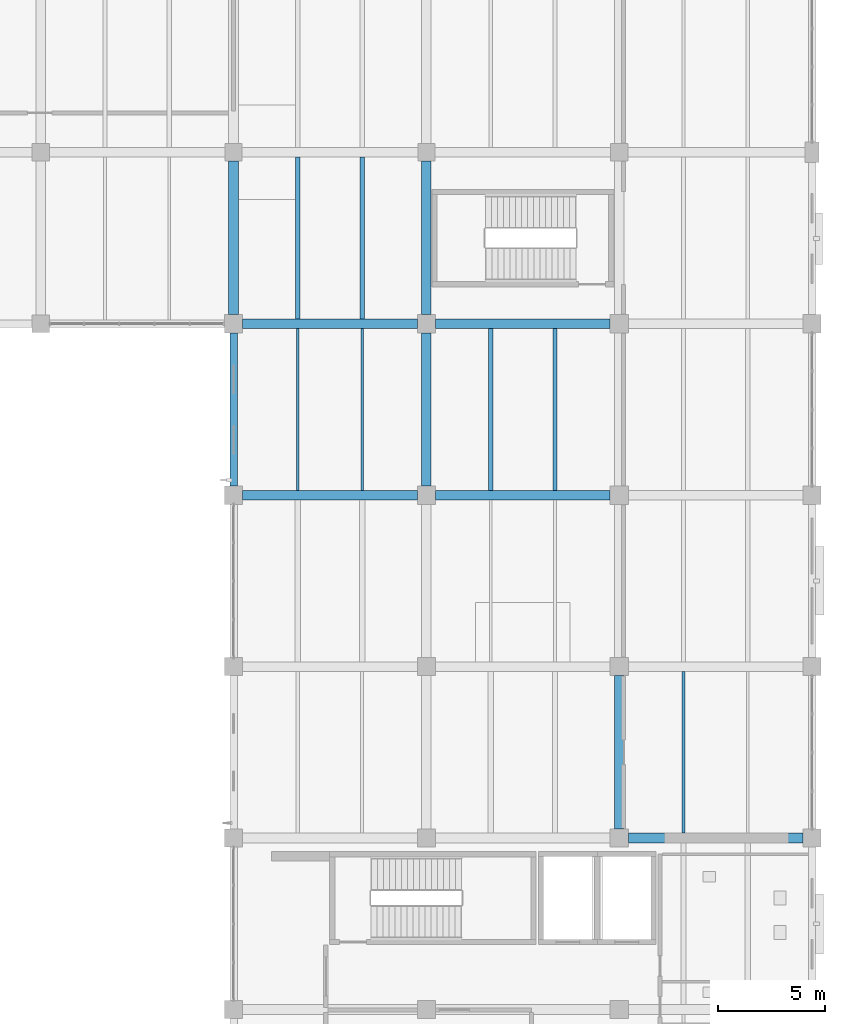
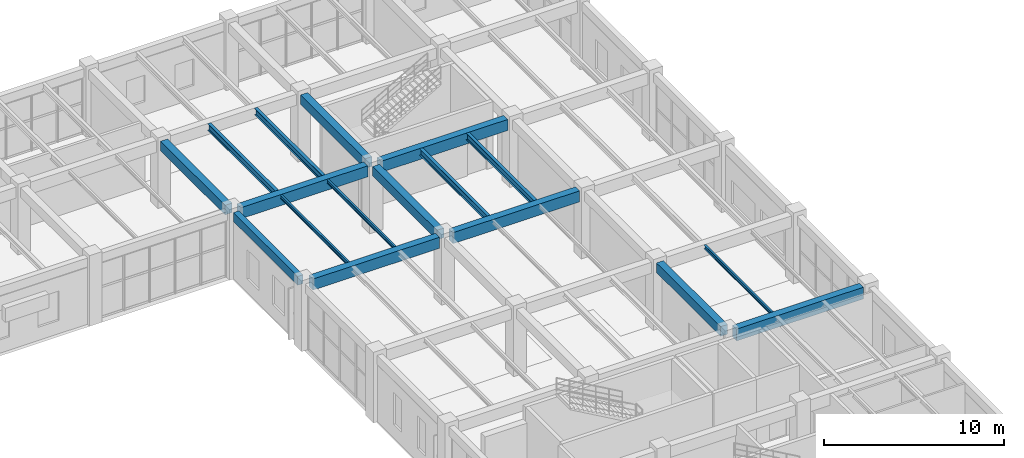
# One storey, part 129 of 178: 17 beams.
"""IFC4 building model written with IfcOpenShell, lengths in metres."""

from ifc_helpers import new_model, si_unit, derived_unit, direction, frame, origin, origin_2d, place, context, subcontext, project, spatial, rectangle, i_section, extrude, material, material_profile, profile_set, type_object, element, save


model = new_model("IFC4")

# Units and contexts
model_context = context("Model", 3, precision=1e-05, world=origin(), true_north=direction((0.0, 1.0)))
body_context = subcontext(model_context, "Body", "Model", "MODEL_VIEW")
ifc_project = project(units=[si_unit("LENGTHUNIT", "METRE"), si_unit("AREAUNIT", "SQUARE_METRE"), si_unit("VOLUMEUNIT", "CUBIC_METRE"), si_unit("PLANEANGLEUNIT", "RADIAN"), si_unit("MASSUNIT", "GRAM", prefix="KILO"), derived_unit("THERMALTRANSMITTANCEUNIT", [(si_unit("MASSUNIT", "GRAM", prefix="KILO"), 1), (si_unit("TIMEUNIT", "SECOND"), -3), (si_unit("THERMODYNAMICTEMPERATUREUNIT", "KELVIN"), -1)])], contexts=[model_context])

# Site, building, storey
site_placement = place(None, origin())
site = spatial("IfcSite", under=ifc_project, at=site_placement, CompositionType="ELEMENT")
building_placement = place(site_placement, origin())
building = spatial("IfcBuilding", under=site, at=building_placement, Name="Zhenchuan Archway Interchange", CompositionType="ELEMENT")
storey_placement = place(building_placement, frame((0.0, 0.0, 5.39990234375)))
storey = spatial("IfcBuildingStorey", under=building, at=storey_placement, Name="L01", CompositionType="ELEMENT", Elevation=5.39990234375)

# Beams
ifc_material_1 = material(Name="Concrete C40", Category="concrete")
ifc_material_profile_1 = material_profile(ifc_material_1, rectangle(XDim=0.449951171875, YDim=0.64990234375, at=origin_2d()), Name="RC 450x650")
ifc_profile_set_1 = profile_set([ifc_material_profile_1], Name="Concrete C40")
beam_type_1 = type_object("IfcBeamType", Name="BM_RC_450x650", PredefinedType="BEAM", material=ifc_profile_set_1)
beam_1_placement = place(storey_placement, frame((144.0, 88.425048828125, 4.18505859375), z_axis=(0.0, 1.0, 0.0), x_axis=(-1.0, 0.0, 0.0)))
element("IfcBeam", 1, at=beam_1_placement, inside=storey, type_object=beam_type_1, Name="Beam 17:M-N (L01)", PredefinedType="BEAM", context=body_context, shape_type="SweptSolid", body=[
    extrude(rectangle(XDim=0.449951171875, YDim=0.64990234375, at=origin_2d()), origin(), (0.0, 0.0, 1.0), 7.175048828125),
])
beam_2_placement = place(storey_placement, frame((153.0, 80.425048828125, 4.18505859375), z_axis=(0.0, 1.0, 0.0), x_axis=(-1.0, 0.0, 0.0)))
element("IfcBeam", 2, at=beam_2_placement, inside=storey, type_object=beam_type_1, Name="Beam 18:L-M (L01)", PredefinedType="BEAM", context=body_context, shape_type="SweptSolid", body=[
    extrude(rectangle(XDim=0.449951171875, YDim=0.64990234375, at=origin_2d()), origin(), (0.0, 0.0, 1.0), 7.14990234375),
])
beam_3_placement = place(storey_placement, frame((153.0, 88.425048828125, 4.18505859375), z_axis=(0.0, 1.0, 0.0), x_axis=(-1.0, 0.0, 0.0)))
element("IfcBeam", 3, at=beam_3_placement, inside=storey, type_object=beam_type_1, Name="Beam 18:M-N (L01)", PredefinedType="BEAM", context=body_context, shape_type="SweptSolid", body=[
    extrude(rectangle(XDim=0.449951171875, YDim=0.64990234375, at=origin_2d()), origin(), (0.0, 0.0, 1.0), 7.175048828125),
])
beam_4_placement = place(storey_placement, frame((162.0, 64.425048828125, 4.18505859375), z_axis=(0.0, 1.0, 0.0), x_axis=(-1.0, 0.0, 0.0)))
element("IfcBeam", 4, at=beam_4_placement, inside=storey, type_object=beam_type_1, Name="Beam 19:J-K (L01)", PredefinedType="BEAM", context=body_context, shape_type="SweptSolid", body=[
    extrude(rectangle(XDim=0.449951171875, YDim=0.64990234375, at=origin_2d()), origin(), (0.0, 0.0, 1.0), 7.14990234375),
])
ifc_material_profile_2 = material_profile(ifc_material_1, rectangle(XDim=0.449951171875, YDim=0.75, at=origin_2d()), Name="RC 450x750")
ifc_profile_set_2 = profile_set([ifc_material_profile_2], Name="Concrete C40")
beam_type_2 = type_object("IfcBeamType", Name="BM_RC_450x750", PredefinedType="BEAM", material=ifc_profile_set_2)
for number, where, z_axis, x_axis, name in (
    (5, (144.425048828125, 80.0, 4.135009765625), (1.0, 0.0, 0.0), (0.0, 1.0, 0.0), "Beam L:17-18 (L01)"),
    (6, (153.425048828125, 80.0, 4.135009765625), (1.0, 0.0, 0.0), (0.0, 1.0, 0.0), "Beam L:18-19 (L01)"),
    (7, (144.425048828125, 88.0, 4.135009765625), (1.0, 0.0, 0.0), (0.0, 1.0, 0.0), "Beam M:17-18 (L01)"),
    (8, (153.425048828125, 88.0, 4.135009765625), (1.0, 0.0, 0.0), (0.0, 1.0, 0.0), "Beam M:18-19 (L01)"),
):
    element("IfcBeam", number, at=place(storey_placement, frame(where, z_axis=z_axis, x_axis=x_axis)), inside=storey, type_object=beam_type_2, Name=name, PredefinedType="BEAM", context=body_context, shape_type="SweptSolid", body=[
        extrude(rectangle(XDim=0.449951171875, YDim=0.75, at=origin_2d()), origin(), (0.0, 0.0, 1.0), 8.14990234375),
    ])
ifc_material_profile_3 = material_profile(ifc_material_1, rectangle(XDim=0.449951171875, YDim=0.800048828125, at=origin_2d()), Name="RC 450x800")
ifc_profile_set_3 = profile_set([ifc_material_profile_3], Name="Concrete C40")
beam_type_3 = type_object("IfcBeamType", Name="BM_RC_450x800", PredefinedType="BEAM", material=ifc_profile_set_3)
beam_5_placement = place(storey_placement, frame((162.425048828125, 64.0, 4.110107421875), z_axis=(1.0, 0.0, 0.0), x_axis=(0.0, 1.0, 0.0)))
element("IfcBeam", 9, at=beam_5_placement, inside=storey, type_object=beam_type_3, Name="Beam J:19-20 (L01)", PredefinedType="BEAM", context=body_context, shape_type="SweptSolid", body=[
    extrude(rectangle(XDim=0.449951171875, YDim=0.800048828125, at=origin_2d()), origin(), (0.0, 0.0, 1.0), 8.14990234375),
])
ifc_material_2 = material(Name="Steel Q355", Category="steel")
ifc_material_profile_4 = material_profile(ifc_material_2, i_section(OverallWidth=0.125, OverallDepth=0.25, WebThickness=0.006103515625, FlangeThickness=0.009033203125, FilletRadius=0.011962890625, at=origin_2d()), Name="HN 250x125")
ifc_profile_set_4 = profile_set([ifc_material_profile_4], Name="Steel Q355")
beam_type_4 = type_object("IfcBeamType", Name="JST_STL_HN250", PredefinedType="JOIST", material=ifc_profile_set_4)
for number, where, z_axis, x_axis, name in (
    (10, (147.0, 80.22509765625, 4.385009765625), (0.0, 1.0, 0.0), (-1.0, 0.0, 0.0), "Secondary joist 17-18/L-M #1 (L01)"),
    (11, (150.0, 80.22509765625, 4.385009765625), (0.0, 1.0, 0.0), (-1.0, 0.0, 0.0), "Secondary joist 17-18/L-M #2 (L01)"),
    (12, (165.0, 64.22509765625, 4.385009765625), (0.0, 1.0, 0.0), (-1.0, 0.0, 0.0), "Secondary joist 19-20/J-K #1 (L01)"),
):
    element("IfcBeam", number, at=place(storey_placement, frame(where, z_axis=z_axis, x_axis=x_axis)), inside=storey, type_object=beam_type_4, Name=name, PredefinedType="JOIST", context=body_context, shape_type="SweptSolid", body=[
        extrude(i_section(OverallWidth=0.125, OverallDepth=0.25, WebThickness=0.006103515625, FlangeThickness=0.009033203125, FilletRadius=0.011962890625, at=origin_2d()), origin(), (0.0, 0.0, 1.0), 7.5498046875),
    ])
ifc_material_profile_5 = material_profile(ifc_material_2, i_section(OverallWidth=0.199951171875, OverallDepth=0.449951171875, WebThickness=0.009033203125, FlangeThickness=0.013916015625, FilletRadius=0.01806640625, at=origin_2d()), Name="HN 450x200")
ifc_profile_set_5 = profile_set([ifc_material_profile_5], Name="Steel Q355")
beam_type_5 = type_object("IfcBeamType", Name="JST_STL_HN450", PredefinedType="JOIST", material=ifc_profile_set_5)
for number, where, z_axis, x_axis, name in (
    (13, (147.0, 88.22509765625, 4.28515625), (0.0, 1.0, 0.0), (-1.0, 0.0, 0.0), "Secondary joist 17-18/M-N #1 (L01)"),
    (14, (150.0, 88.22509765625, 4.28515625), (0.0, 1.0, 0.0), (-1.0, 0.0, 0.0), "Secondary joist 17-18/M-N #2 (L01)"),
    (15, (156.0, 80.22509765625, 4.28515625), (0.0, 1.0, 0.0), (-1.0, 0.0, 0.0), "Secondary joist 18-19/L-M #1 (L01)"),
    (16, (159.0, 80.22509765625, 4.28515625), (0.0, 1.0, 0.0), (-1.0, 0.0, 0.0), "Secondary joist 18-19/L-M #2 (L01)"),
):
    element("IfcBeam", number, at=place(storey_placement, frame(where, z_axis=z_axis, x_axis=x_axis)), inside=storey, type_object=beam_type_5, Name=name, PredefinedType="JOIST", context=body_context, shape_type="SweptSolid", body=[
        extrude(i_section(OverallWidth=0.199951171875, OverallDepth=0.449951171875, WebThickness=0.009033203125, FlangeThickness=0.013916015625, FilletRadius=0.01806640625, at=origin_2d()), origin(), (0.0, 0.0, 1.0), 7.5498046875),
    ])
ifc_material_profile_6 = material_profile(ifc_material_1, rectangle(XDim=0.35009765625, YDim=0.60009765625, at=origin_2d()), Name="RC 350x600")
ifc_profile_set_6 = profile_set([ifc_material_profile_6], Name="Concrete C40")
beam_type_6 = type_object("IfcBeamType", Name="SP_RC_350x600", PredefinedType="SPANDREL", material=ifc_profile_set_6)
beam_6_placement = place(storey_placement, frame((144.0, 80.425048828125, 4.210205078125), z_axis=(0.0, 1.0, 0.0), x_axis=(-1.0, 0.0, 0.0)))
element("IfcBeam", 17, at=beam_6_placement, inside=storey, type_object=beam_type_6, Name="Beam 17:L-M (L01)", PredefinedType="SPANDREL", context=body_context, shape_type="SweptSolid", body=[
    extrude(rectangle(XDim=0.35009765625, YDim=0.60009765625, at=origin_2d()), origin(), (0.0, 0.0, 1.0), 7.14990234375),
])

save(model, "model.ifc")
